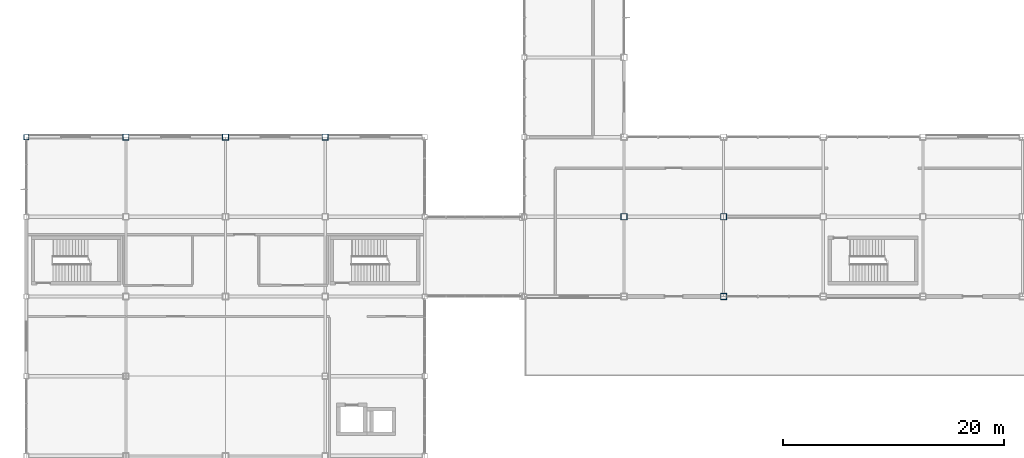
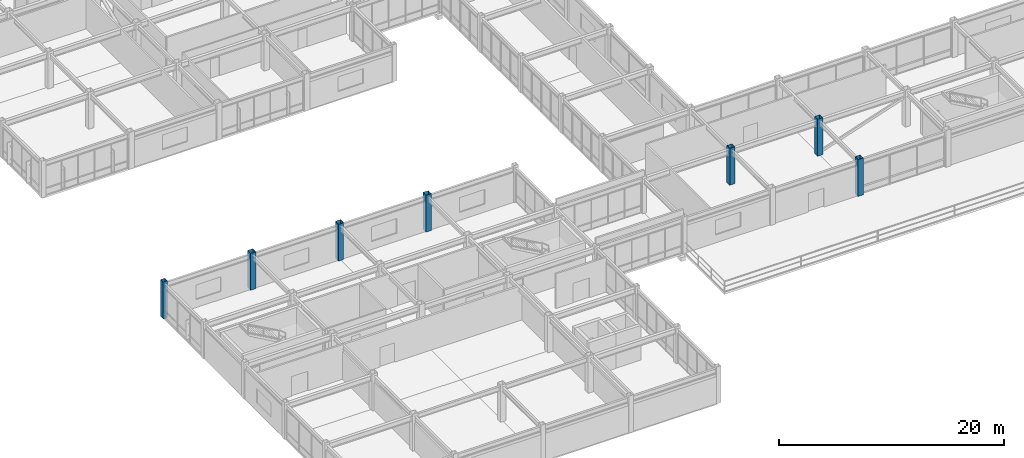
# One storey, part 2 of 122: 7 columns.
"""IFC4 building model written with IfcOpenShell, lengths in metres."""

import ifcopenshell
import ifcopenshell.guid

model = None  # the IFC model being written
_history = None  # IfcOwnerHistory: only IFC2X3 demands one
_inside = {}  # id of a spatial element -> (the spatial element, [elements in it])
_under = {}  # id of a project, library or spatial element -> (it, [spatial elements below it])
_declared = {}  # id of a project -> (the project, [libraries it declares])
_typed = {}  # id of a type object -> (the type object, [elements of that type])
_made_of = {}  # id of a material, layer set ... -> (it, [elements and type objects made of it])


def new_model(schema):
    """Start an empty IFC model of exactly this schema.

    Asked for "IFC4X3", IfcOpenShell would pick the latest addendum, in which some entities
    have other attributes; the version numbers below select the first issue.
    IFC2X3 requires an IfcOwnerHistory on every rooted entity: one is made here for all.
    """
    global model, _history
    if schema == "IFC4X3":
        model = ifcopenshell.file(schema_version=(4, 3, 0, 0))
    else:
        model = ifcopenshell.file(schema=schema)
    _inside.clear()
    _under.clear()
    _declared.clear()
    _typed.clear()
    _made_of.clear()
    _history = None
    if model.schema == "IFC2X3":
        org = make("IfcOrganization", Name="unknown")
        user = make(
            "IfcPersonAndOrganization",
            ThePerson=make("IfcPerson", FamilyName="unknown"),
            TheOrganization=org,
        )
        app = make(
            "IfcApplication",
            ApplicationDeveloper=org,
            Version="unknown",
            ApplicationFullName="unknown",
            ApplicationIdentifier="unknown",
        )
        _history = make(
            "IfcOwnerHistory",
            OwningUser=user,
            OwningApplication=app,
            ChangeAction="ADDED",
            CreationDate=0,
        )
    return model


def make(cls, **values):
    """One entity of the class cls with the attributes given. An attribute that is None is left unset."""
    return model.create_entity(
        cls, **{name: value for name, value in values.items() if value is not None}
    )


def rooted(cls, **values):
    """An entity with a GlobalId (a new one), such as an element, a storey or a relation."""
    return make(cls, GlobalId=ifcopenshell.guid.new(), OwnerHistory=_history, **values)


def si_unit(unit_type, name, prefix=None):
    """IfcSIUnit, for example si_unit("LENGTHUNIT", "METRE", prefix="MILLI")."""
    return make("IfcSIUnit", UnitType=unit_type, Prefix=prefix, Name=name)


def assignment(units):
    """IfcUnitAssignment: the units of a project."""
    return None if units is None else make("IfcUnitAssignment", Units=units)


def point(xyz):
    """IfcCartesianPoint."""
    return None if xyz is None else make("IfcCartesianPoint", Coordinates=xyz)


def direction(xyz):
    """IfcDirection."""
    return None if xyz is None else make("IfcDirection", DirectionRatios=xyz)


def frame(location, z_axis=None, x_axis=None):
    """IfcAxis2Placement3D, a coordinate frame: its origin and axes. An axis left out is left unset."""
    return make(
        "IfcAxis2Placement3D",
        Location=point(location),
        Axis=direction(z_axis),
        RefDirection=direction(x_axis),
    )


def frame_2d(location, x_axis=None):
    """IfcAxis2Placement2D, a coordinate frame in the plane: its origin and x axis."""
    return make(
        "IfcAxis2Placement2D", Location=point(location), RefDirection=direction(x_axis)
    )


def origin():
    """The frame at (0, 0, 0) with its axes left unset."""
    return frame((0.0, 0.0, 0.0))


def origin_2d():
    """The frame at (0, 0) in the plane with its x axis left unset."""
    return frame_2d((0.0, 0.0))


def place(relative_to, where):
    """IfcLocalPlacement: puts the frame where relative to a parent placement (None: the world)."""
    return make(
        "IfcLocalPlacement", PlacementRelTo=relative_to, RelativePlacement=where
    )


def context(
    kind, dimensions, precision=None, world=None, true_north=None, identifier=None
):
    """IfcGeometricRepresentationContext, for example the 3D "Model" context."""
    return make(
        "IfcGeometricRepresentationContext",
        ContextIdentifier=identifier,
        ContextType=kind,
        CoordinateSpaceDimension=dimensions,
        Precision=precision,
        WorldCoordinateSystem=world,
        TrueNorth=true_north,
    )


def subcontext(parent, identifier, kind, view, scale=None):
    """IfcGeometricRepresentationSubContext, for example "Body" below "Model"."""
    return make(
        "IfcGeometricRepresentationSubContext",
        ContextIdentifier=identifier,
        ContextType=kind,
        ParentContext=parent,
        TargetScale=scale,
        TargetView=view,
    )


def project(units=None, contexts=None):
    """IfcProject with its units and contexts."""
    return rooted(
        "IfcProject",
        Name="project",
        RepresentationContexts=contexts,
        UnitsInContext=assignment(units),
    )


def spatial(cls, under=None, at=None, **own):
    """A site, building, storey or space (cls), placed at a placement, below another one or the project."""
    s = rooted(cls, ObjectPlacement=at, **own)
    if under is not None:
        _under.setdefault(under.id(), (under, []))[1].append(s)
    return s


def profile(cls, at=None, kind="AREA", **sizes):
    """A parametric profile (cls). Its sizes go by their IFC names, for example OverallWidth=200.0."""
    return make(cls, ProfileType=kind, Position=at, **sizes)


def hollow_rectangle(**sizes):
    """IfcRectangleHollowProfileDef."""
    return profile("IfcRectangleHollowProfileDef", **sizes)


def extrude(swept, where, along, depth):
    """IfcExtrudedAreaSolid: the profile swept, set in the frame where, extruded along a direction by depth."""
    return make(
        "IfcExtrudedAreaSolid",
        SweptArea=swept,
        Position=where,
        ExtrudedDirection=direction(along),
        Depth=depth,
    )


def shape(context_of_items, identifier, shape_type, items):
    """IfcShapeRepresentation: the items that make up one representation, for example the "Body"."""
    return make(
        "IfcShapeRepresentation",
        ContextOfItems=context_of_items,
        RepresentationIdentifier=identifier,
        RepresentationType=shape_type,
        Items=items,
    )


def material(Name=None, Category=None):
    """IfcMaterial."""
    return make("IfcMaterial", Name=Name, Category=Category)


def material_profile(
    of_material, cross_section, Name=None, Category=None, Priority=None
):
    """IfcMaterialProfile: a cross section and its material."""
    return make(
        "IfcMaterialProfile",
        Name=Name,
        Material=of_material,
        Profile=cross_section,
        Priority=Priority,
        Category=Category,
    )


def profile_set(profiles, Name=None, composite=None):
    """IfcMaterialProfileSet."""
    return make(
        "IfcMaterialProfileSet",
        Name=Name,
        MaterialProfiles=profiles,
        CompositeProfile=composite,
    )


def made_of(thing, what):
    """Note that an element or type object is made of a material, layer set ...; save() writes the relation."""
    if what is not None:
        _made_of.setdefault(what.id(), (what, []))[1].append(thing)
    return thing


def type_object(cls, material=None, **own):
    """A type object (cls), such as IfcWallType, which elements share."""
    return made_of(rooted(cls, **own), material)


def element(
    cls,
    number,
    at=None,
    inside=None,
    cuts=None,
    type_object=None,
    material=None,
    context=None,
    identifier="Body",
    shape_type=None,
    held_by="IfcProductDefinitionShape",
    body=None,
    shapes=None,
    **own,
):
    """One element of the class cls, such as IfcWall. Its Tag is "e" and its number.

    at: its placement. inside: the storey or other place that contains it. cuts: it is an
    opening in that element (IfcRelVoidsElement). A single representation is given by context,
    identifier, shape_type and body (its items); several are given by shapes. held_by: the class
    of the entity that holds the representations. save() writes the other relations.
    """
    e = rooted(cls, Tag="e%d" % number, ObjectPlacement=at, **own)
    if body is not None:
        shapes = [shape(context, identifier, shape_type, body)]
    if shapes is not None:
        e.Representation = make(held_by, Representations=shapes)
    if inside is not None:
        _inside.setdefault(inside.id(), (inside, []))[1].append(e)
    if cuts is not None:
        rooted(
            "IfcRelVoidsElement", RelatingBuildingElement=cuts, RelatedOpeningElement=e
        )
    if type_object is not None:
        _typed.setdefault(type_object.id(), (type_object, []))[1].append(e)
    return made_of(e, material)


def aggregate(whole, parts):
    """IfcRelAggregates: a whole, such as a stair, and the parts it consists of."""
    return rooted("IfcRelAggregates", RelatingObject=whole, RelatedObjects=parts)


def save(model, path):
    """Write the relations noted so far, then the file.

    IfcRelAggregates (storeys below a building ...), IfcRelContainedInSpatialStructure (elements
    in a storey), IfcRelDefinesByType, IfcRelAssociatesMaterial and IfcRelDeclares: one each for
    every whole, place, type object, material and project.
    """
    for whole, parts in _under.values():
        aggregate(whole, parts)
    for where, things in _inside.values():
        rooted(
            "IfcRelContainedInSpatialStructure",
            RelatedElements=things,
            RelatingStructure=where,
        )
    for kind, things in _typed.values():
        rooted("IfcRelDefinesByType", RelatedObjects=things, RelatingType=kind)
    for what, things in _made_of.values():
        rooted("IfcRelAssociatesMaterial", RelatedObjects=things, RelatingMaterial=what)
    for by, libraries in _declared.values():
        rooted("IfcRelDeclares", RelatingContext=by, RelatedDefinitions=libraries)
    model.write(path)


model = new_model("IFC4")

# Units and contexts
model_context = context("Model", 3, precision=1e-05, world=origin(), true_north=direction((0.0, 1.0)))
body_context = subcontext(model_context, "Body", "Model", "MODEL_VIEW")
ifc_project = project(units=[si_unit("LENGTHUNIT", "METRE"), si_unit("AREAUNIT", "SQUARE_METRE"), si_unit("VOLUMEUNIT", "CUBIC_METRE"), si_unit("PLANEANGLEUNIT", "RADIAN"), si_unit("MASSUNIT", "GRAM", prefix="KILO")], contexts=[model_context])

# Site, building, storey
site_placement = place(None, origin())
site = spatial("IfcSite", under=ifc_project, at=site_placement, CompositionType="ELEMENT")
building_placement = place(site_placement, origin())
building = spatial("IfcBuilding", under=site, at=building_placement, Name="Kazanami Central Library", CompositionType="ELEMENT")
storey_placement = place(building_placement, frame((0.0, 0.0, 4.800048828125)))
storey = spatial("IfcBuildingStorey", under=building, at=storey_placement, Name="L02", CompositionType="ELEMENT", Elevation=4.800048828125)

# Columns
ifc_material = material(Name="Steel BCP325 (325 MPa)", Category="steel")
ifc_material_profile_1 = material_profile(ifc_material, hollow_rectangle(XDim=0.449951171875, YDim=0.449951171875, WallThickness=0.01904296875, at=origin_2d()), Name="BCP-450x450x19")
ifc_profile_set_1 = profile_set([ifc_material_profile_1], Name="Steel BCP325 (325 MPa)")
column_type_1 = type_object("IfcColumnType", Name="COL-C-P2E", PredefinedType="COLUMN", material=ifc_profile_set_1)
column_placement = place(storey_placement, frame((0.0, 36.0, 0.0), z_axis=(0.0, 0.0, 1.0), x_axis=(1.0, 0.0, 0.0)))
element("IfcColumn", 1, at=column_placement, inside=storey, type_object=column_type_1, Name="Column C-P2E L02 1/F", PredefinedType="COLUMN", context=body_context, shape_type="SweptSolid", body=[
    extrude(hollow_rectangle(XDim=0.449951171875, YDim=0.449951171875, WallThickness=0.01904296875, at=origin_2d()), origin(), (0.0, 0.0, 1.0), 4.0),
])
ifc_material_profile_2 = material_profile(ifc_material, hollow_rectangle(XDim=0.550048828125, YDim=0.550048828125, WallThickness=0.02197265625, at=origin_2d()), Name="BCP-550x550x22")
ifc_profile_set_2 = profile_set([ifc_material_profile_2], Name="Steel BCP325 (325 MPa)")
column_type_2 = type_object("IfcColumnType", Name="COL-C-P2I", PredefinedType="COLUMN", material=ifc_profile_set_2)
for number, where, z_axis, x_axis, name in (
    (2, (9.0, 36.0, 0.0), (0.0, 0.0, 1.0), (1.0, 0.0, 0.0), "Column C-P2I L02 2/F"),
    (3, (18.0, 36.0, 0.0), (0.0, 0.0, 1.0), (1.0, 0.0, 0.0), "Column C-P2I L02 3/F"),
    (4, (27.0, 36.0, 0.0), (0.0, 0.0, 1.0), (1.0, 0.0, 0.0), "Column C-P2I L02 4/F"),
    (5, (54.0, 28.800048828125, 0.0), (0.0, 0.0, 1.0), (1.0, 0.0, 0.0), "Column C-P2I L02 7/E"),
    (6, (63.0, 21.60009765625, 0.0), (0.0, 0.0, 1.0), (1.0, 0.0, 0.0), "Column C-P2I L02 8/D"),
    (7, (63.0, 28.800048828125, 0.0), (0.0, 0.0, 1.0), (1.0, 0.0, 0.0), "Column C-P2I L02 8/E"),
):
    element("IfcColumn", number, at=place(storey_placement, frame(where, z_axis=z_axis, x_axis=x_axis)), inside=storey, type_object=column_type_2, Name=name, PredefinedType="COLUMN", context=body_context, shape_type="SweptSolid", body=[
        extrude(hollow_rectangle(XDim=0.550048828125, YDim=0.550048828125, WallThickness=0.02197265625, at=origin_2d()), origin(), (0.0, 0.0, 1.0), 4.0),
    ])

save(model, "model.ifc")
